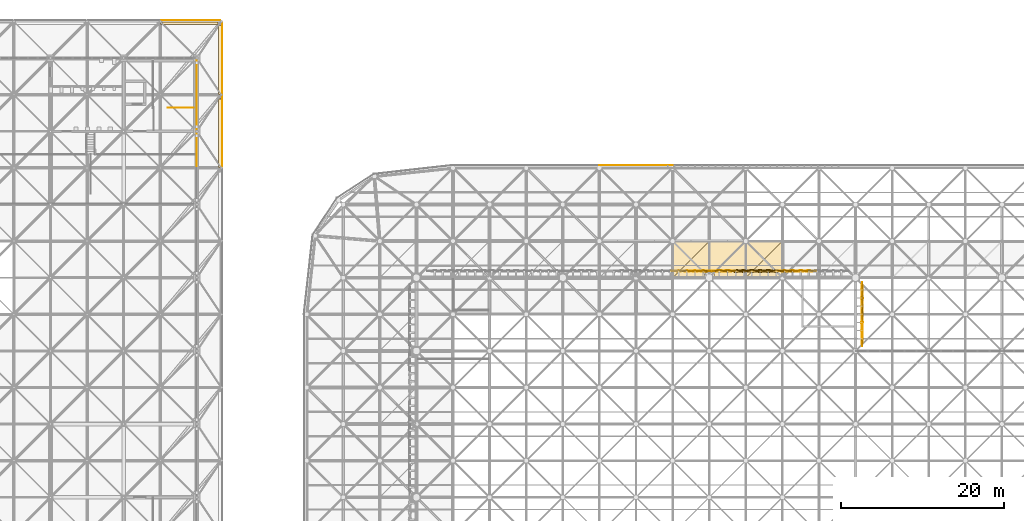
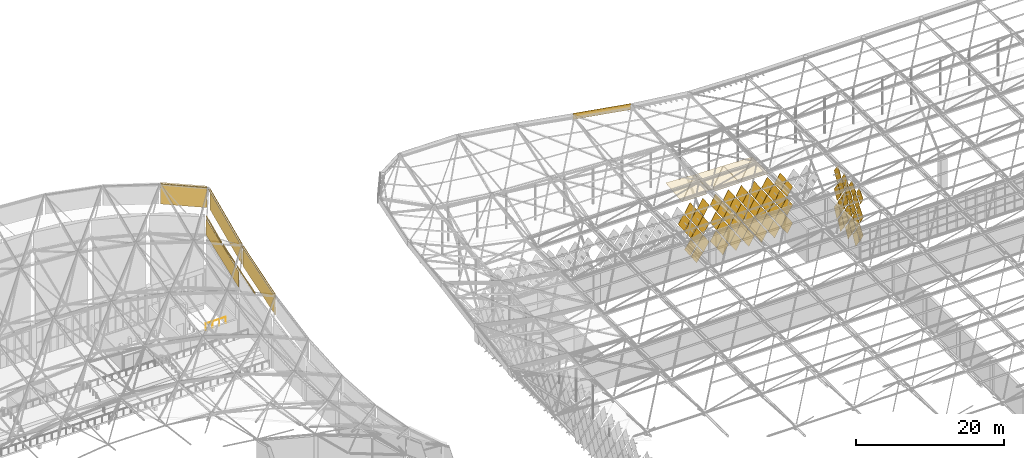
# One storey, part 424 of 437: 84 coverings, 1 railing.
"""IFC4 building model written with IfcOpenShell, lengths in metres."""

from ifc_helpers import new_model, si_unit, direction, frame, origin, origin_2d, place, context, subcontext, project, spatial, polyline, circle, outline, extrude, material, layer, layer_set, constituent, constituent_set, material_profile, profile_set, type_object, element, save


model = new_model("IFC4")

# Units and contexts
model_context = context("Model", 3, precision=1e-05, world=origin(), true_north=direction((0.0, 1.0)))
body_context = subcontext(model_context, "Body", "Model", "MODEL_VIEW")
ifc_project = project(units=[si_unit("LENGTHUNIT", "METRE"), si_unit("AREAUNIT", "SQUARE_METRE"), si_unit("VOLUMEUNIT", "CUBIC_METRE"), si_unit("PLANEANGLEUNIT", "RADIAN"), si_unit("MASSUNIT", "GRAM", prefix="KILO")], contexts=[model_context])

# Site, building, storey
site_placement = place(None, origin())
site = spatial("IfcSite", under=ifc_project, at=site_placement, CompositionType="ELEMENT")
building_placement = place(site_placement, origin())
building = spatial("IfcBuilding", under=site, at=building_placement, Name="Opaline Strait Convention Centre", CompositionType="ELEMENT")
storey_placement = place(building_placement, frame((0.0, 0.0, 11.5)))
storey = spatial("IfcBuildingStorey", under=building, at=storey_placement, Name="L02", CompositionType="ELEMENT", Elevation=11.5)

# Coverings
ifc_material_1 = material(Name="White ceramic-faced aluminium tile", Category="aluminium")
ifc_material_profile_1 = material_profile(ifc_material_1, outline(polyline([(0.927978515625, 0.0), (0.0, 1.39208984375), (-0.927978515625, 0.0), (0.0, -1.39208984375), (0.927978515625, 0.0)])), Name="Diamond tile 1856x2784")
ifc_profile_set_1 = profile_set([ifc_material_profile_1], Name="White ceramic-faced aluminium tile")
covering_type_1 = type_object("IfcCoveringType", Name="Diamond wall tile 1856x2784x30 pivot 2 deg", PredefinedType="CLADDING", material=ifc_profile_set_1)
for number, where, z_axis, x_axis, name in (
    (1, (131.25, 153.800048828125, 7.89208984375), (0.0, 0.999174794796, -0.040616861577), (-1.0, 0.0, 0.0), "Wall tile XT04 N"),
    (2, (153.800048828125, 145.5, 3.39208984375), (0.999471633277, 0.0, 0.032503142546), (0.0, 1.0, 0.0), "Wall tile XT04 RW"),
    (3, (153.800048828125, 151.5, 9.39208984375), (0.999174794796, 0.0, -0.040616861577), (0.0, 1.0, 0.0), "Wall tile XT04 RW"),
):
    element("IfcCovering", number, at=place(storey_placement, frame(where, z_axis=z_axis, x_axis=x_axis)), inside=storey, type_object=covering_type_1, Name=name, PredefinedType="CLADDING", context=body_context, shape_type="SweptSolid", body=[
        extrude(outline(polyline([(0.927978515625, 0.0), (0.0, 1.39208984375), (-0.927978515625, 0.0), (0.0, -1.39208984375), (0.927978515625, 0.0)])), origin(), (0.0, 0.0, 1.0), 0.030029296875),
    ])
ifc_material_profile_2 = material_profile(ifc_material_1, outline(polyline([(0.927978515625, 0.0), (0.0, 1.39208984375), (-0.927978515625, 0.0), (0.0, -1.39208984375), (0.927978515625, 0.0)])), Name="Diamond tile 1856x2784")
ifc_profile_set_2 = profile_set([ifc_material_profile_2], Name="White ceramic-faced aluminium tile")
covering_type_2 = type_object("IfcCoveringType", Name="Diamond wall tile 1856x2784x30 pivot 2.5 deg", PredefinedType="CLADDING", material=ifc_profile_set_2)
for number, where, z_axis, x_axis, name in (
    (4, (133.25, 153.800048828125, 1.89208984375), (0.0, 0.999174794796, 0.040616861577), (-1.0, 0.0, 0.0), "Wall tile XT05 N"),
    (5, (134.25, 153.800048828125, 3.39208984375), (0.0, 0.998812351125, -0.048722553713), (-1.0, 0.0, 0.0), "Wall tile XT05 N"),
    (6, (132.25, 153.800048828125, 3.39208984375), (0.0, 0.999174794796, 0.040616861577), (-1.0, 0.0, 0.0), "Wall tile XT05 N"),
    (7, (133.25, 153.800048828125, 4.89208984375), (0.0, 0.998812351125, -0.048722553713), (-1.0, 0.0, 0.0), "Wall tile XT05 N"),
    (8, (132.25, 153.800048828125, 6.39208984375), (0.0, 0.998812351125, -0.048722553713), (-1.0, 0.0, 0.0), "Wall tile XT05 N"),
    (9, (147.25, 153.800048828125, 7.89208984375), (0.0, 0.998812351125, -0.048722553713), (-1.0, 0.0, 0.0), "Wall tile XT05 N"),
    (10, (146.25, 153.800048828125, 9.39208984375), (0.0, 0.998812351125, -0.048722553713), (-1.0, 0.0, 0.0), "Wall tile XT05 N"),
    (11, (144.25, 153.800048828125, 9.39208984375), (0.0, 0.998812351125, -0.048722553713), (-1.0, 0.0, 0.0), "Wall tile XT05 N"),
    (12, (153.800048828125, 146.5, 1.89208984375), (0.998812351125, 0.0, -0.048722553713), (0.0, 1.0, 0.0), "Wall tile XT05 RW"),
    (13, (153.800048828125, 146.5, 4.89208984375), (0.999174794796, 0.0, 0.040616861577), (0.0, 1.0, 0.0), "Wall tile XT05 RW"),
    (14, (153.800048828125, 150.5, 7.89208984375), (0.998812351125, 0.0, -0.048722553713), (0.0, 1.0, 0.0), "Wall tile XT05 RW"),
):
    element("IfcCovering", number, at=place(storey_placement, frame(where, z_axis=z_axis, x_axis=x_axis)), inside=storey, type_object=covering_type_2, Name=name, PredefinedType="CLADDING", context=body_context, shape_type="SweptSolid", body=[
        extrude(outline(polyline([(0.927978515625, 0.0), (0.0, 1.39208984375), (-0.927978515625, 0.0), (0.0, -1.39208984375), (0.927978515625, 0.0)])), origin(), (0.0, 0.0, 1.0), 0.030029296875),
    ])
ifc_material_profile_3 = material_profile(ifc_material_1, outline(polyline([(0.927978515625, 0.0), (0.0, 1.39208984375), (-0.927978515625, 0.0), (0.0, -1.39208984375), (0.927978515625, 0.0)])), Name="Diamond tile 1856x2784")
ifc_profile_set_3 = profile_set([ifc_material_profile_3], Name="White ceramic-faced aluminium tile")
covering_type_3 = type_object("IfcCoveringType", Name="Diamond wall tile 1856x2784x30 pivot 3 deg", PredefinedType="CLADDING", material=ifc_profile_set_3)
for number, where, z_axis, x_axis, name in (
    (15, (147.25, 153.800048828125, 4.89208984375), (0.0, 0.998384516691, -0.056818631031), (-1.0, 0.0, 0.0), "Wall tile XT06 N"),
    (16, (146.25, 153.800048828125, 6.39208984375), (0.0, 0.998384516691, -0.056818631031), (-1.0, 0.0, 0.0), "Wall tile XT06 N"),
    (17, (145.25, 153.800048828125, 7.89208984375), (0.0, 0.998384516691, -0.056818631031), (-1.0, 0.0, 0.0), "Wall tile XT06 N"),
    (18, (153.800048828125, 147.5, 3.39208984375), (0.998384516691, 0.0, -0.056818631031), (0.0, 1.0, 0.0), "Wall tile XT06 RW"),
    (19, (153.800048828125, 148.5, 4.89208984375), (0.998384516691, 0.0, -0.056818631031), (0.0, 1.0, 0.0), "Wall tile XT06 RW"),
    (20, (153.800048828125, 145.5, 6.39208984375), (0.998812351125, 0.0, 0.048722553713), (0.0, 1.0, 0.0), "Wall tile XT06 RW"),
    (21, (153.800048828125, 147.5, 6.39208984375), (0.998812351125, 0.0, 0.048722553713), (0.0, 1.0, 0.0), "Wall tile XT06 RW"),
    (22, (153.800048828125, 149.5, 6.39208984375), (0.998384516691, 0.0, -0.056818631031), (0.0, 1.0, 0.0), "Wall tile XT06 RW"),
    (23, (153.800048828125, 151.5, 6.39208984375), (0.998384516691, 0.0, -0.056818631031), (0.0, 1.0, 0.0), "Wall tile XT06 RW"),
    (24, (153.800048828125, 148.5, 7.89208984375), (0.998812351125, 0.0, 0.048722553713), (0.0, 1.0, 0.0), "Wall tile XT06 RW"),
    (25, (153.800048828125, 149.5, 9.39208984375), (0.998812351125, 0.0, 0.048722553713), (0.0, 1.0, 0.0), "Wall tile XT06 RW"),
):
    element("IfcCovering", number, at=place(storey_placement, frame(where, z_axis=z_axis, x_axis=x_axis)), inside=storey, type_object=covering_type_3, Name=name, PredefinedType="CLADDING", context=body_context, shape_type="SweptSolid", body=[
        extrude(outline(polyline([(0.927978515625, 0.0), (0.0, 1.39208984375), (-0.927978515625, 0.0), (0.0, -1.39208984375), (0.927978515625, 0.0)])), origin(), (0.0, 0.0, 1.0), 0.030029296875),
    ])
ifc_material_profile_4 = material_profile(ifc_material_1, outline(polyline([(0.927978515625, 0.0), (0.0, 1.39208984375), (-0.927978515625, 0.0), (0.0, -1.39208984375), (0.927978515625, 0.0)])), Name="Diamond tile 1856x2784")
ifc_profile_set_4 = profile_set([ifc_material_profile_4], Name="White ceramic-faced aluminium tile")
covering_type_4 = type_object("IfcCoveringType", Name="Diamond wall tile 1856x2784x30 pivot 3.5 deg", PredefinedType="CLADDING", material=ifc_profile_set_4)
for number, where, z_axis, x_axis, name in (
    (26, (137.25, 153.800048828125, 1.89208984375), (0.0, 0.99785694905, -0.065433242561), (-1.0, 0.0, 0.0), "Wall tile XT07 N"),
    (27, (136.25, 153.800048828125, 3.39208984375), (0.0, 0.99785694905, -0.065433242561), (-1.0, 0.0, 0.0), "Wall tile XT07 N"),
    (28, (153.800048828125, 150.5, 4.89208984375), (0.99785694905, 0.0, -0.065433242561), (0.0, 1.0, 0.0), "Wall tile XT07 RW"),
    (29, (153.800048828125, 146.5, 7.89208984375), (0.99835799028, 0.0, 0.057282835508), (0.0, 1.0, 0.0), "Wall tile XT07 RW"),
):
    element("IfcCovering", number, at=place(storey_placement, frame(where, z_axis=z_axis, x_axis=x_axis)), inside=storey, type_object=covering_type_4, Name=name, PredefinedType="CLADDING", context=body_context, shape_type="SweptSolid", body=[
        extrude(outline(polyline([(0.927978515625, 0.0), (0.0, 1.39208984375), (-0.927978515625, 0.0), (0.0, -1.39208984375), (0.927978515625, 0.0)])), origin(), (0.0, 0.0, 1.0), 0.02978515625),
    ])
ifc_material_profile_5 = material_profile(ifc_material_1, outline(polyline([(0.927978515625, 0.0), (0.0, 1.39208984375), (-0.927978515625, 0.0), (0.0, -1.39208984375), (0.927978515625, 0.0)])), Name="Diamond tile 1856x2784")
ifc_profile_set_5 = profile_set([ifc_material_profile_5], Name="White ceramic-faced aluminium tile")
covering_type_5 = type_object("IfcCoveringType", Name="Diamond wall tile 1856x2784x30 pivot 4 deg", PredefinedType="CLADDING", material=ifc_profile_set_5)
for number, where, z_axis, x_axis, name in (
    (30, (134.25, 153.800048828125, 6.39208984375), (0.0, 0.997290013252, -0.073570574748), (-1.0, 0.0, 0.0), "Wall tile XT08 N"),
    (31, (133.25, 153.800048828125, 7.89208984375), (0.0, 0.997290013252, -0.073570574748), (-1.0, 0.0, 0.0), "Wall tile XT08 N"),
    (32, (132.25, 153.800048828125, 9.39208984375), (0.0, 0.997290013252, -0.073570574748), (-1.0, 0.0, 0.0), "Wall tile XT08 N"),
    (33, (153.800048828125, 147.5, 9.39208984375), (0.99785694905, 0.0, 0.065433242561), (0.0, 1.0, 0.0), "Wall tile XT08 RW"),
):
    element("IfcCovering", number, at=place(storey_placement, frame(where, z_axis=z_axis, x_axis=x_axis)), inside=storey, type_object=covering_type_5, Name=name, PredefinedType="CLADDING", context=body_context, shape_type="SweptSolid", body=[
        extrude(outline(polyline([(0.927978515625, 0.0), (0.0, 1.39208984375), (-0.927978515625, 0.0), (0.0, -1.39208984375), (0.927978515625, 0.0)])), origin(), (0.0, 0.0, 1.0), 0.02978515625),
    ])
ifc_material_profile_6 = material_profile(ifc_material_1, outline(polyline([(0.927978515625, 0.0), (0.0, 1.39208984375), (-0.927978515625, 0.0), (0.0, -1.39208984375), (0.927978515625, 0.0)])), Name="Diamond tile 1856x2784")
ifc_profile_set_6 = profile_set([ifc_material_profile_6], Name="White ceramic-faced aluminium tile")
covering_type_6 = type_object("IfcCoveringType", Name="Diamond wall tile 1856x2784x30 pivot 4.5 deg", PredefinedType="CLADDING", material=ifc_profile_set_6)
for number, where, z_axis, x_axis, name in (
    (34, (143.25, 153.800048828125, 7.89208984375), (0.0, 0.996657521232, -0.081693239445), (-1.0, 0.0, 0.0), "Wall tile XT09 N"),
    (35, (142.25, 153.800048828125, 9.39208984375), (0.0, 0.996657521232, -0.081693239445), (-1.0, 0.0, 0.0), "Wall tile XT09 N"),
    (36, (153.800048828125, 149.5, 3.39208984375), (0.996657521232, 0.0, -0.081693239445), (0.0, 1.0, 0.0), "Wall tile XT09 RW"),
    (37, (153.800048828125, 145.5, 9.39208984375), (0.997290013252, 0.0, 0.073570574748), (0.0, 1.0, 0.0), "Wall tile XT09 RW"),
):
    element("IfcCovering", number, at=place(storey_placement, frame(where, z_axis=z_axis, x_axis=x_axis)), inside=storey, type_object=covering_type_6, Name=name, PredefinedType="CLADDING", context=body_context, shape_type="SweptSolid", body=[
        extrude(outline(polyline([(0.927978515625, 0.0), (0.0, 1.39208984375), (-0.927978515625, 0.0), (0.0, -1.39208984375), (0.927978515625, 0.0)])), origin(), (0.0, 0.0, 1.0), 0.02978515625),
    ])
ifc_material_profile_7 = material_profile(ifc_material_1, outline(polyline([(0.927978515625, 0.0), (0.0, 1.39208984375), (-0.927978515625, 0.0), (0.0, -1.39208984375), (0.927978515625, 0.0)])), Name="Diamond tile 1856x2784")
ifc_profile_set_7 = profile_set([ifc_material_profile_7], Name="White ceramic-faced aluminium tile")
covering_type_7 = type_object("IfcCoveringType", Name="Diamond wall tile 1856x2784x30 pivot 5 deg", PredefinedType="CLADDING", material=ifc_profile_set_7)
for number, where, z_axis, x_axis, name in (
    (38, (144.25, 153.800048828125, 6.39208984375), (0.0, 0.995959849254, -0.089799658539), (-1.0, 0.0, 0.0), "Wall tile XT10 N"),
    (39, (153.800048828125, 148.5, 1.89208984375), (0.995959849254, 0.0, -0.089799658539), (0.0, 1.0, 0.0), "Wall tile XT10 RW"),
    (40, (153.800048828125, 151.5, 3.39208984375), (0.995959849254, 0.0, -0.089799658539), (0.0, 1.0, 0.0), "Wall tile XT10 RW"),
):
    element("IfcCovering", number, at=place(storey_placement, frame(where, z_axis=z_axis, x_axis=x_axis)), inside=storey, type_object=covering_type_7, Name=name, PredefinedType="CLADDING", context=body_context, shape_type="SweptSolid", body=[
        extrude(outline(polyline([(0.927978515625, 0.0), (0.0, 1.39208984375), (-0.927978515625, 0.0), (0.0, -1.39208984375), (0.927978515625, 0.0)])), origin(), (0.0, 0.0, 1.0), 0.02978515625),
    ])
ifc_material_profile_8 = material_profile(ifc_material_1, outline(polyline([(0.927978515625, 0.0), (0.0, 1.39208984375), (-0.927978515625, 0.0), (0.0, -1.39208984375), (0.927978515625, 0.0)])), Name="Diamond tile 1856x2784")
ifc_profile_set_8 = profile_set([ifc_material_profile_8], Name="White ceramic-faced aluminium tile")
covering_type_8 = type_object("IfcCoveringType", Name="Diamond wall tile 1856x2784x30 pivot 5.5 deg", PredefinedType="CLADDING", material=ifc_profile_set_8)
for number, where, z_axis, x_axis, name in (
    (41, (147.25, 153.800048828125, 1.89208984375), (0.0, 0.995197410875, -0.097888269922), (-1.0, 0.0, 0.0), "Wall tile XT11 N"),
    (42, (139.25, 153.800048828125, 1.89208984375), (0.0, 0.995197410875, -0.097888269922), (-1.0, 0.0, 0.0), "Wall tile XT11 N"),
    (43, (146.25, 153.800048828125, 3.39208984375), (0.0, 0.995197410875, -0.097888269922), (-1.0, 0.0, 0.0), "Wall tile XT11 N"),
    (44, (138.25, 153.800048828125, 3.39208984375), (0.0, 0.995197410875, -0.097888269922), (-1.0, 0.0, 0.0), "Wall tile XT11 N"),
    (45, (145.25, 153.800048828125, 4.89208984375), (0.0, 0.995197410875, -0.097888269922), (-1.0, 0.0, 0.0), "Wall tile XT11 N"),
    (46, (137.25, 153.800048828125, 4.89208984375), (0.0, 0.995197410875, -0.097888269922), (-1.0, 0.0, 0.0), "Wall tile XT11 N"),
    (47, (136.25, 153.800048828125, 6.39208984375), (0.0, 0.995197410875, -0.097888269922), (-1.0, 0.0, 0.0), "Wall tile XT11 N"),
    (48, (134.25, 153.800048828125, 9.39208984375), (0.0, 0.995197410875, -0.097888269922), (-1.0, 0.0, 0.0), "Wall tile XT11 N"),
    (49, (153.800048828125, 150.5, 1.89208984375), (0.995197410875, 0.0, -0.097888269922), (0.0, 1.0, 0.0), "Wall tile XT11 RW"),
):
    element("IfcCovering", number, at=place(storey_placement, frame(where, z_axis=z_axis, x_axis=x_axis)), inside=storey, type_object=covering_type_8, Name=name, PredefinedType="CLADDING", context=body_context, shape_type="SweptSolid", body=[
        extrude(outline(polyline([(0.927978515625, 0.0), (0.0, 1.39208984375), (-0.927978515625, 0.0), (0.0, -1.39208984375), (0.927978515625, 0.0)])), origin(), (0.0, 0.0, 1.0), 0.030029296875),
    ])
ifc_material_profile_9 = material_profile(ifc_material_1, outline(polyline([(0.927978515625, 0.0), (0.0, 1.39208984375), (-0.927978515625, 0.0), (0.0, -1.39208984375), (0.927978515625, 0.0)])), Name="Diamond tile 1856x2784")
ifc_profile_set_9 = profile_set([ifc_material_profile_9], Name="White ceramic-faced aluminium tile")
covering_type_9 = type_object("IfcCoveringType", Name="Diamond wall tile 1856x2784x30 pivot 6 deg", PredefinedType="CLADDING", material=ifc_profile_set_9)
for number, where, z_axis, x_axis, name in (
    (50, (141.25, 153.800048828125, 7.89208984375), (0.0, 0.994370656274, -0.105957528947), (-1.0, 0.0, 0.0), "Wall tile XT12 N"),
    (51, (140.25, 153.800048828125, 9.39208984375), (0.0, 0.994370656274, -0.105957528947), (-1.0, 0.0, 0.0), "Wall tile XT12 N"),
):
    element("IfcCovering", number, at=place(storey_placement, frame(where, z_axis=z_axis, x_axis=x_axis)), inside=storey, type_object=covering_type_9, Name=name, PredefinedType="CLADDING", context=body_context, shape_type="SweptSolid", body=[
        extrude(outline(polyline([(0.927978515625, 0.0), (0.0, 1.39208984375), (-0.927978515625, 0.0), (0.0, -1.39208984375), (0.927978515625, 0.0)])), origin(), (0.0, 0.0, 1.0), 0.030029296875),
    ])
ifc_material_profile_10 = material_profile(ifc_material_1, outline(polyline([(0.927978515625, 0.0), (0.0, 1.39208984375), (-0.927978515625, 0.0), (0.0, -1.39208984375), (0.927978515625, 0.0)])), Name="Diamond tile 1856x2784")
ifc_profile_set_10 = profile_set([ifc_material_profile_10], Name="White ceramic-faced aluminium tile")
covering_type_10 = type_object("IfcCoveringType", Name="Diamond wall tile 1856x2784x30 pivot 6.5 deg", PredefinedType="CLADDING", material=ifc_profile_set_10)
for number, where, z_axis, x_axis, name in (
    (52, (141.25, 153.800048828125, 1.89208984375), (0.0, 0.993480071526, -0.114005909847), (-1.0, 0.0, 0.0), "Wall tile XT13 N"),
    (53, (144.25, 153.800048828125, 3.39208984375), (0.0, 0.993480071526, -0.114005909847), (-1.0, 0.0, 0.0), "Wall tile XT13 N"),
    (54, (140.25, 153.800048828125, 3.39208984375), (0.0, 0.993480071526, -0.114005909847), (-1.0, 0.0, 0.0), "Wall tile XT13 N"),
    (55, (143.25, 153.800048828125, 4.89208984375), (0.0, 0.993480071526, -0.114005909847), (-1.0, 0.0, 0.0), "Wall tile XT13 N"),
    (56, (142.25, 153.800048828125, 6.39208984375), (0.0, 0.993480071526, -0.114005909847), (-1.0, 0.0, 0.0), "Wall tile XT13 N"),
    (57, (137.25, 153.800048828125, 7.89208984375), (0.0, 0.993480071526, -0.114005909847), (-1.0, 0.0, 0.0), "Wall tile XT13 N"),
    (58, (136.25, 153.800048828125, 9.39208984375), (0.0, 0.993480071526, -0.114005909847), (-1.0, 0.0, 0.0), "Wall tile XT13 N"),
):
    element("IfcCovering", number, at=place(storey_placement, frame(where, z_axis=z_axis, x_axis=x_axis)), inside=storey, type_object=covering_type_10, Name=name, PredefinedType="CLADDING", context=body_context, shape_type="SweptSolid", body=[
        extrude(outline(polyline([(0.927978515625, 0.0), (0.0, 1.39208984375), (-0.927978515625, 0.0), (0.0, -1.39208984375), (0.927978515625, 0.0)])), origin(), (0.0, 0.0, 1.0), 0.030029296875),
    ])
ifc_material_profile_11 = material_profile(ifc_material_1, outline(polyline([(0.927978515625, 0.0), (0.0, 1.39208984375), (-0.927978515625, 0.0), (0.0, -1.39208984375), (0.927978515625, 0.0)])), Name="Diamond tile 1856x2784")
ifc_profile_set_11 = profile_set([ifc_material_profile_11], Name="White ceramic-faced aluminium tile")
covering_type_11 = type_object("IfcCoveringType", Name="Diamond wall tile 1856x2784x30 pivot 7 deg", PredefinedType="CLADDING", material=ifc_profile_set_11)
for number, where, z_axis, x_axis, name in (
    (59, (145.25, 153.800048828125, 1.89208984375), (0.0, 0.992526177815, -0.122031907108), (-1.0, 0.0, 0.0), "Wall tile XT14 N"),
    (60, (143.25, 153.800048828125, 1.89208984375), (0.0, 0.992526177815, -0.122031907108), (-1.0, 0.0, 0.0), "Wall tile XT14 N"),
    (61, (142.25, 153.800048828125, 3.39208984375), (0.0, 0.992526177815, -0.122031907108), (-1.0, 0.0, 0.0), "Wall tile XT14 N"),
    (62, (141.25, 153.800048828125, 4.89208984375), (0.0, 0.992526177815, -0.122031907108), (-1.0, 0.0, 0.0), "Wall tile XT14 N"),
    (63, (139.25, 153.800048828125, 4.89208984375), (0.0, 0.992526177815, -0.122031907108), (-1.0, 0.0, 0.0), "Wall tile XT14 N"),
    (64, (140.25, 153.800048828125, 6.39208984375), (0.0, 0.992526177815, -0.122031907108), (-1.0, 0.0, 0.0), "Wall tile XT14 N"),
    (65, (138.25, 153.800048828125, 6.39208984375), (0.0, 0.992526177815, -0.122031907108), (-1.0, 0.0, 0.0), "Wall tile XT14 N"),
    (66, (139.25, 153.800048828125, 7.89208984375), (0.0, 0.992526177815, -0.122031907108), (-1.0, 0.0, 0.0), "Wall tile XT14 N"),
    (67, (138.25, 153.800048828125, 9.39208984375), (0.0, 0.992526177815, -0.122031907108), (-1.0, 0.0, 0.0), "Wall tile XT14 N"),
):
    element("IfcCovering", number, at=place(storey_placement, frame(where, z_axis=z_axis, x_axis=x_axis)), inside=storey, type_object=covering_type_11, Name=name, PredefinedType="CLADDING", context=body_context, shape_type="SweptSolid", body=[
        extrude(outline(polyline([(0.927978515625, 0.0), (0.0, 1.39208984375), (-0.927978515625, 0.0), (0.0, -1.39208984375), (0.927978515625, 0.0)])), origin(), (0.0, 0.0, 1.0), 0.030029296875),
    ])
ifc_material_2 = material(Name="White aluminium fascia plate", Category="aluminium")
ifc_layer_1 = layer(ifc_material_2, 0.02001953125)
ifc_layer_set_1 = layer_set([ifc_layer_1], Name="White aluminium fascia plate")
covering_type_12 = type_object("IfcCoveringType", Name="Edge fascia plate 20 aluminium", PredefinedType="CLADDING", material=ifc_layer_set_1)
covering_1_placement = place(storey_placement, frame((126.0, 166.800048828125, 20.103515625), z_axis=(0.0, 1.0, 0.0), x_axis=(-1.0, 0.0, 0.0)))
element("IfcCovering", 68, at=covering_1_placement, inside=storey, type_object=covering_type_12, Name="Edge fascia plate N", PredefinedType="CLADDING", context=body_context, shape_type="SweptSolid", body=[
    extrude(outline(polyline([(-4.5, -0.263671875), (4.5, 1.263671875), (4.5, 0.263671875), (-4.5, -1.263671875), (-4.5, -0.263671875)])), origin(), (0.0, 0.0, 1.0), 0.02001953125),
])

# Railing
ifc_material_3 = material(Name="Steel Q355B", Category="steel")
ifc_constituent_1 = constituent(ifc_material_3, Name="Frame")
ifc_material_4 = material(Name="Safety glass, bonded interlayer", Category="glass")
ifc_constituent_2 = constituent(ifc_material_4, Name="Infill")
ifc_constituent_set = constituent_set(constituents=[ifc_constituent_1, ifc_constituent_2], Name="Steel Q355B, Safety glass, bonded interlayer")
railing_type = type_object("IfcRailingType", Name="Seating guard 1100 steel and glass", PredefinedType="GUARDRAIL", material=ifc_constituent_set)
railing_placement = place(storey_placement, frame((71.60009765625, 173.89990234375, 0.0)))
element("IfcRailing", 69, at=railing_placement, inside=storey, type_object=railing_type, Name="L02 PSR4 top well guard 1", PredefinedType="GUARDRAIL", context=body_context, shape_type="SweptSolid", body=[
    extrude(circle(Radius=0.02392578125, at=origin_2d()), frame((0.0, 0.0, 1.076171875), z_axis=(-1.0, 0.0, 0.0), x_axis=(0.0, -1.0, 0.0)), (0.0, 0.0, 1.0), 3.150146484375),
    extrude(circle(Radius=0.02099609375, at=origin_2d()), origin(), (0.0, 0.0, 1.0), 1.052001953125),
    extrude(circle(Radius=0.02099609375, at=origin_2d()), frame((-1.050048828125, 0.0, 0.0)), (0.0, 0.0, 1.0), 1.052001953125),
    extrude(circle(Radius=0.02099609375, at=origin_2d()), frame((-2.10009765625, 0.0, 0.0)), (0.0, 0.0, 1.0), 1.052001953125),
    extrude(circle(Radius=0.02099609375, at=origin_2d()), frame((-3.150146484375, 0.0, 0.0)), (0.0, 0.0, 1.0), 1.052001953125),
])

# Coverings
ifc_material_5 = material(Name="Standing seam aluminium edge flashing, white", Category="aluminium")
ifc_layer_2 = layer(ifc_material_5, 0.030029296875)
ifc_layer_set_2 = layer_set([ifc_layer_2], Name="Standing seam aluminium edge flashing, white")
covering_type_13 = type_object("IfcCoveringType", Name="Shell edge flashing 30", PredefinedType="ROOFING", material=ifc_layer_set_2)
covering_2_placement = place(storey_placement, frame((74.64990234375, 166.550048828125, 8.317626953125), z_axis=(0.382006288468, -0.279640254977, 0.880836263653), x_axis=(0.917437570864, 0.0, -0.397879760188)))
element("IfcCovering", 70, at=covering_2_placement, inside=storey, type_object=covering_type_13, Name="PEF1 edge flashing 14", PredefinedType="ROOFING", context=body_context, shape_type="SweptSolid", body=[
    extrude(outline(polyline([(0.0, 0.0), (0.32705094891894404, 0.0), (-0.740308134318719, 8.80107120577786), (-1.067359083237663, 8.80107120577786), (0.0, 0.0)])), origin(), (0.0, 0.0, -1.0), 0.030029296875),
])
covering_3_placement = place(storey_placement, frame((74.64990234375, 175.550048828125, 11.19091796875), z_axis=(0.36813109044, -0.377613527946, 0.849639643475), x_axis=(0.917554360287, -0.000119750401, -0.397610338873)))
element("IfcCovering", 71, at=covering_3_placement, inside=storey, type_object=covering_type_13, Name="PEF1 edge flashing 16", PredefinedType="ROOFING", context=body_context, shape_type="SweptSolid", body=[
    extrude(outline(polyline([(0.0, 0.0), (0.3270509324735512, 6.938893903907228e-18), (-1.1672323985841002, 9.125428094698218), (-1.4941862582210124, 9.125343515387861), (0.0, 0.0)])), origin(), (0.0, 0.0, -1.0), 0.030029296875),
])
covering_4_placement = place(storey_placement, frame((67.550048828125, 184.14990234375, 18.093505859375), z_axis=(0.368563829003, -0.377419034337, 0.849538449083), x_axis=(0.917385940146, 0.0, -0.397998789976)))
element("IfcCovering", 72, at=covering_4_placement, inside=storey, type_object=covering_type_13, Name="PEF1 edge flashing 32", PredefinedType="ROOFING", context=body_context, shape_type="SweptSolid", body=[
    extrude(outline(polyline([(0.0, 0.0), (7.68493228379312, 0.0), (7.631878734152716, 0.32401191091007653), (-0.05305354964040472, 0.3240119109100763), (0.0, 0.0)])), origin(), (0.0, 0.0, -1.0), 0.030029296875),
])
ifc_material_6 = material(Name="Aluminium composite cladding panel, white", Category="aluminium")
ifc_layer_3 = layer(ifc_material_6, 0.0400390625)
ifc_layer_set_3 = layer_set([ifc_layer_3], Name="Aluminium composite cladding panel, white")
covering_type_14 = type_object("IfcCoveringType", Name="Shell edge frieze panel 40", PredefinedType="CLADDING", material=ifc_layer_set_3)
covering_5_placement = place(storey_placement, frame((72.0, 171.14990234375, 7.460205078125), z_axis=(1.0, 0.0, 0.0), x_axis=(0.0, 0.934484411572, 0.356004051282)))
element("IfcCovering", 73, at=covering_5_placement, inside=storey, type_object=covering_type_14, Name="PFR1 frieze panel E 7", PredefinedType="CLADDING", context=body_context, shape_type="SweptSolid", body=[
    extrude(outline(polyline([(0.0, 0.0), (9.310155637446092, -4.440892098500626e-16), (10.232932740098605, 2.422221923256107), (0.9228640177040947, 2.4224500688644017), (0.0, 0.0)])), origin(), (0.0, 0.0, -1.0), 0.0400390625),
])
covering_6_placement = place(storey_placement, frame((72.0, 166.699951171875, 8.916015625), z_axis=(1.0, 0.0, 0.0), x_axis=(0.0, 0.953120788943, 0.302590088543)))
element("IfcCovering", 74, at=covering_6_placement, inside=storey, type_object=covering_type_14, Name="PFR1 frieze strip E 13", PredefinedType="CLADDING", context=body_context, shape_type="SweptSolid", body=[
    extrude(outline(polyline([(0.0, 0.0), (5.141160009539353, 0.0), (5.242441994742572, 0.31902553751001617), (0.10135585973655543, 0.3192582330151293), (0.0, 0.0)])), origin(), (0.0, 0.0, -1.0), 0.0400390625),
])
covering_7_placement = place(storey_placement, frame((72.0, 172.199951171875, 10.662109375), z_axis=(1.0, 0.0, 0.0), x_axis=(0.0, 0.95312667237, 0.302571555861)))
element("IfcCovering", 75, at=covering_7_placement, inside=storey, type_object=covering_type_14, Name="PFR1 frieze strip E 14", PredefinedType="CLADDING", context=body_context, shape_type="SweptSolid", body=[
    extrude(outline(polyline([(0.0, 0.0), (3.2525557684167263, 1.1102230246251565e-16), (3.35390542042881, 0.3192602037334257), (0.1013496520120837, 0.3192602037334257), (0.0, 0.0)])), origin(), (0.0, 0.0, -1.0), 0.0400390625),
])
covering_8_placement = place(storey_placement, frame((72.0, 175.699951171875, 11.798583984375), z_axis=(1.0, 0.0, 0.0), x_axis=(0.0, 0.913813765387, 0.406133478293)))
element("IfcCovering", 76, at=covering_8_placement, inside=storey, type_object=covering_type_14, Name="PFR1 frieze strip E 15", PredefinedType="CLADDING", context=body_context, shape_type="SweptSolid", body=[
    extrude(outline(polyline([(0.0, 0.0), (4.541567047438146, -2.220446049250313e-16), (4.6776058980771635, 0.30609191555428894), (0.13603885063901727, 0.3060919155542891), (0.0, 0.0)])), origin(), (0.0, 0.0, -1.0), 0.0400390625),
])
covering_9_placement = place(storey_placement, frame((75.1494140625, 166.64990234375, 4.467041015625), z_axis=(1.0, 0.0, 0.0), x_axis=(0.0, 0.95312438958, 0.302578746754)))
element("IfcCovering", 77, at=covering_9_placement, inside=storey, type_object=covering_type_14, Name="PFR1 fascia panel E 7", PredefinedType="CLADDING", context=body_context, shape_type="SweptSolid", body=[
    extrude(outline(polyline([(0.0, 0.0), (9.128079616482133, 0.0), (10.174177671360551, 3.29521349630048), (1.0461719266427632, 3.2954461926846554), (0.0, 0.0)])), origin(), (0.0, 0.0, -1.0), 0.0400390625),
])
covering_10_placement = place(storey_placement, frame((75.1494140625, 175.64990234375, 7.34326171875), z_axis=(1.0, 0.0, 0.0), x_axis=(0.0, 0.913813663494, 0.406133707555)))
element("IfcCovering", 78, at=covering_10_placement, inside=storey, type_object=covering_type_14, Name="PFR1 fascia panel E 8", PredefinedType="CLADDING", context=body_context, shape_type="SweptSolid", body=[
    extrude(outline(polyline([(0.0, 0.0), (9.5207542413366, -4.440892098500626e-16), (10.924969467505527, 3.159528589452953), (1.404215226168927, 3.1595285894529535), (0.0, 0.0)])), origin(), (0.0, 0.0, -1.0), 0.0400390625),
])
covering_11_placement = place(storey_placement, frame((67.64990234375, 184.6494140625, 14.482666015625), z_axis=(0.0, -1.0, 0.0), x_axis=(0.917383800951, 0.0, -0.398003720777)))
element("IfcCovering", 79, at=covering_11_placement, inside=storey, type_object=covering_type_14, Name="PFR1 fascia panel N 8", PredefinedType="CLADDING", context=body_context, shape_type="SweptSolid", body=[
    extrude(outline(polyline([(0.0, 0.0), (7.848618326414646, 0.0), (6.479411678593638, 3.155970492968906), (-1.3692066478210076, 3.155970492968906), (0.0, 0.0)])), origin(), (0.0, 0.0, -1.0), 0.0400390625),
])
ifc_material_7 = material(Name="White aluminium soffit panel", Category="aluminium")
ifc_layer_4 = layer(ifc_material_7, 0.011962890625)
ifc_layer_set_4 = layer_set([ifc_layer_4], Name="White aluminium soffit panel")
covering_type_15 = type_object("IfcCoveringType", Name="Soffit lining panel 12 aluminium", PredefinedType="CEILING", material=ifc_layer_set_4)
covering_12_placement = place(storey_placement, frame((134.97998046875, 157.45166015625, 12.21728515625), z_axis=(1.9333429e-05, -0.05100733674, 0.998698278373), x_axis=(3.17e-10, -0.998698278559, -0.05100733675)))
element("IfcCovering", 80, at=covering_12_placement, inside=storey, type_object=covering_type_15, Name="Soffit lining panel", PredefinedType="CEILING", context=body_context, shape_type="SweptSolid", body=[
    extrude(outline(polyline([(0.0, 0.0), (3.85658592675168, 4.235164736271502e-22), (3.856585926567753, -0.5800781248915887), (4.437415759967186, -0.5800781267322196), (4.437415758745958, -4.431640626012398), (0.0, 0.0)])), origin(), (0.0, 0.0, -1.0), 0.011962890625),
])
covering_13_placement = place(storey_placement, frame((130.52001953125, 153.04833984375, 11.989013671875), z_axis=(0.049435444208, -0.10013004148, 0.993745496417), x_axis=(0.0, 0.994962015623, 0.100252618256)))
element("IfcCovering", 81, at=covering_13_placement, inside=storey, type_object=covering_type_15, Name="Soffit lining panel", PredefinedType="CEILING", context=body_context, shape_type="SweptSolid", body=[
    extrude(outline(polyline([(0.0, 0.0), (4.4540802115188125, -3.469446951953614e-18), (4.431978621117259, -4.437065732287924), (0.0, 0.0)])), origin(), (0.0, 0.0, -1.0), 0.011962890625),
])
covering_14_placement = place(storey_placement, frame((139.47998046875, 157.45166015625, 12.105712890625), z_axis=(1.309102e-05, -0.026005311496, 0.999661804613), x_axis=(-1.5e-10, -0.999661804699, -0.026005311498)))
element("IfcCovering", 82, at=covering_14_placement, inside=storey, type_object=covering_type_15, Name="Soffit lining panel", PredefinedType="CEILING", context=body_context, shape_type="SweptSolid", body=[
    extrude(outline(polyline([(0.0, 0.0), (4.43313857078168, -2.117582368135751e-22), (4.433138571363613, -3.8798828121675433), (3.881192772535994, -3.879882812915242), (0.0, 0.0)])), origin(), (0.0, 0.0, -1.0), 0.011962890625),
])
covering_15_placement = place(storey_placement, frame((135.02001953125, 157.47998046875, 12.21826171875), z_axis=(0.024945024713, -0.050983197058, 0.998387930296), x_axis=(0.999688011718, -1.308526e-06, -0.024977574462)))
element("IfcCovering", 83, at=covering_15_placement, inside=storey, type_object=covering_type_15, Name="Soffit lining panel", PredefinedType="CEILING", context=body_context, shape_type="SweptSolid", body=[
    extrude(outline(polyline([(0.0, 0.0), (4.4330265155046895, 0.0), (0.5568838467303884, -3.8849343975830166), (0.004956685926654385, -3.8849409290177177), (0.0, 0.0)])), origin(), (0.0, 0.0, -1.0), 0.011962890625),
])
covering_16_placement = place(storey_placement, frame((139.54833984375, 153.02001953125, 11.989990234375), z_axis=(0.0, -0.00099162578, 0.999999508339), x_axis=(0.707106607358, 0.707106607358, 0.000701185485)))
element("IfcCovering", 84, at=covering_16_placement, inside=storey, type_object=covering_type_15, Name="Soffit lining panel", PredefinedType="CEILING", context=body_context, shape_type="SweptSolid", body=[
    extrude(outline(polyline([(0.0, 0.0), (6.2672878161295325, 5.14484424030473e-16), (3.1336423673740024, -3.1336439080643874), (0.0, 0.0)])), origin(), (0.0, 0.0, -1.0), 0.011962890625),
])
covering_17_placement = place(storey_placement, frame((139.52001953125, 153.04833984375, 11.99072265625), z_axis=(0.025049739811, -0.026040718529, 0.999346982541), x_axis=(0.0, 0.999660670027, 0.026048892514)))
element("IfcCovering", 85, at=covering_17_placement, inside=storey, type_object=covering_type_15, Name="Soffit lining panel", PredefinedType="CEILING", context=body_context, shape_type="SweptSolid", body=[
    extrude(outline(polyline([(0.0, 0.0), (4.433144923947484, 0.0), (4.430251309178421, -4.433031683591782), (0.0, 0.0)])), origin(), (0.0, 0.0, -1.0), 0.011962890625),
])

save(model, "model.ifc")
